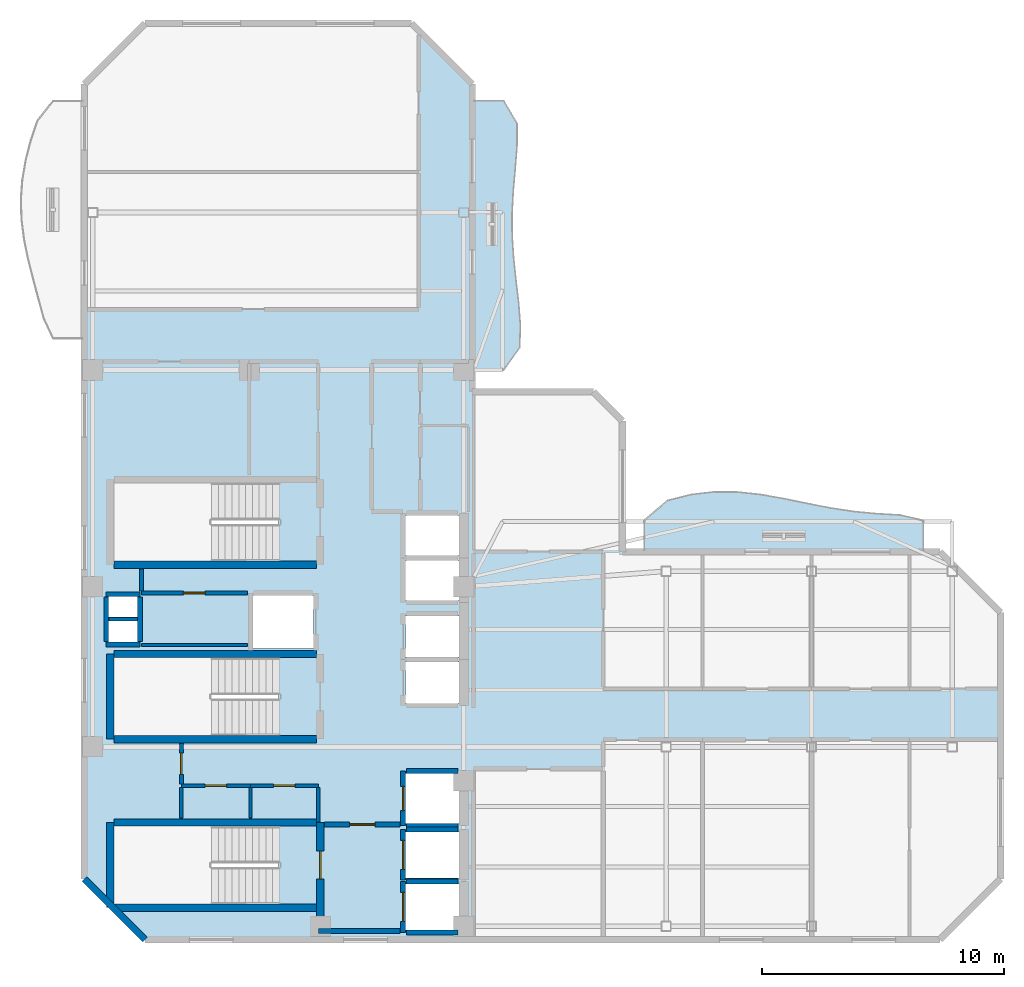
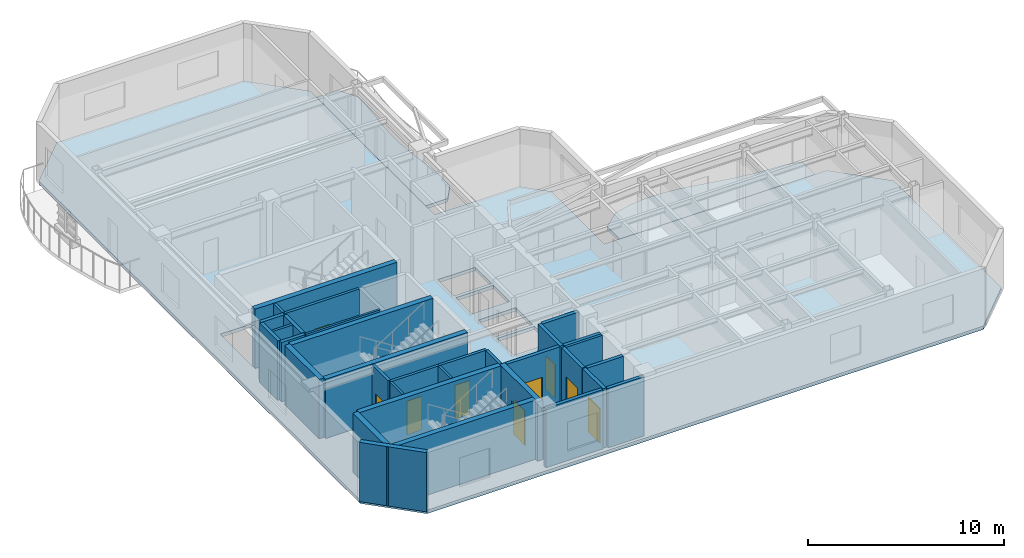
# One storey, part 2 of 8: 33 walls, 9 doors, 3 slabs, 9 openings.
"""IFC4 building model written with IfcOpenShell, lengths in metres."""

import ifcopenshell
import ifcopenshell.guid

model = None  # the IFC model being written
_history = None  # IfcOwnerHistory: only IFC2X3 demands one
_inside = {}  # id of a spatial element -> (the spatial element, [elements in it])
_under = {}  # id of a project, library or spatial element -> (it, [spatial elements below it])
_declared = {}  # id of a project -> (the project, [libraries it declares])
_typed = {}  # id of a type object -> (the type object, [elements of that type])
_made_of = {}  # id of a material, layer set ... -> (it, [elements and type objects made of it])


def new_model(schema):
    """Start an empty IFC model of exactly this schema.

    Asked for "IFC4X3", IfcOpenShell would pick the latest addendum, in which some entities
    have other attributes; the version numbers below select the first issue.
    IFC2X3 requires an IfcOwnerHistory on every rooted entity: one is made here for all.
    """
    global model, _history
    if schema == "IFC4X3":
        model = ifcopenshell.file(schema_version=(4, 3, 0, 0))
    else:
        model = ifcopenshell.file(schema=schema)
    _inside.clear()
    _under.clear()
    _declared.clear()
    _typed.clear()
    _made_of.clear()
    _history = None
    if model.schema == "IFC2X3":
        org = make("IfcOrganization", Name="unknown")
        user = make(
            "IfcPersonAndOrganization",
            ThePerson=make("IfcPerson", FamilyName="unknown"),
            TheOrganization=org,
        )
        app = make(
            "IfcApplication",
            ApplicationDeveloper=org,
            Version="unknown",
            ApplicationFullName="unknown",
            ApplicationIdentifier="unknown",
        )
        _history = make(
            "IfcOwnerHistory",
            OwningUser=user,
            OwningApplication=app,
            ChangeAction="ADDED",
            CreationDate=0,
        )
    return model


def make(cls, **values):
    """One entity of the class cls with the attributes given. An attribute that is None is left unset."""
    return model.create_entity(
        cls, **{name: value for name, value in values.items() if value is not None}
    )


def rooted(cls, **values):
    """An entity with a GlobalId (a new one), such as an element, a storey or a relation."""
    return make(cls, GlobalId=ifcopenshell.guid.new(), OwnerHistory=_history, **values)


def si_unit(unit_type, name, prefix=None):
    """IfcSIUnit, for example si_unit("LENGTHUNIT", "METRE", prefix="MILLI")."""
    return make("IfcSIUnit", UnitType=unit_type, Prefix=prefix, Name=name)


def assignment(units):
    """IfcUnitAssignment: the units of a project."""
    return None if units is None else make("IfcUnitAssignment", Units=units)


def point(xyz):
    """IfcCartesianPoint."""
    return None if xyz is None else make("IfcCartesianPoint", Coordinates=xyz)


def direction(xyz):
    """IfcDirection."""
    return None if xyz is None else make("IfcDirection", DirectionRatios=xyz)


def frame(location, z_axis=None, x_axis=None):
    """IfcAxis2Placement3D, a coordinate frame: its origin and axes. An axis left out is left unset."""
    return make(
        "IfcAxis2Placement3D",
        Location=point(location),
        Axis=direction(z_axis),
        RefDirection=direction(x_axis),
    )


def frame_2d(location, x_axis=None):
    """IfcAxis2Placement2D, a coordinate frame in the plane: its origin and x axis."""
    return make(
        "IfcAxis2Placement2D", Location=point(location), RefDirection=direction(x_axis)
    )


def origin():
    """The frame at (0, 0, 0) with its axes left unset."""
    return frame((0.0, 0.0, 0.0))


def place(relative_to, where):
    """IfcLocalPlacement: puts the frame where relative to a parent placement (None: the world)."""
    return make(
        "IfcLocalPlacement", PlacementRelTo=relative_to, RelativePlacement=where
    )


def context(
    kind, dimensions, precision=None, world=None, true_north=None, identifier=None
):
    """IfcGeometricRepresentationContext, for example the 3D "Model" context."""
    return make(
        "IfcGeometricRepresentationContext",
        ContextIdentifier=identifier,
        ContextType=kind,
        CoordinateSpaceDimension=dimensions,
        Precision=precision,
        WorldCoordinateSystem=world,
        TrueNorth=true_north,
    )


def subcontext(parent, identifier, kind, view, scale=None):
    """IfcGeometricRepresentationSubContext, for example "Body" below "Model"."""
    return make(
        "IfcGeometricRepresentationSubContext",
        ContextIdentifier=identifier,
        ContextType=kind,
        ParentContext=parent,
        TargetScale=scale,
        TargetView=view,
    )


def project(units=None, contexts=None):
    """IfcProject with its units and contexts."""
    return rooted(
        "IfcProject",
        Name="project",
        RepresentationContexts=contexts,
        UnitsInContext=assignment(units),
    )


def spatial(cls, under=None, at=None, **own):
    """A site, building, storey or space (cls), placed at a placement, below another one or the project."""
    s = rooted(cls, ObjectPlacement=at, **own)
    if under is not None:
        _under.setdefault(under.id(), (under, []))[1].append(s)
    return s


def polyline(points):
    """IfcPolyline through the points."""
    return make("IfcPolyline", Points=[point(p) for p in points])


def profile(cls, at=None, kind="AREA", **sizes):
    """A parametric profile (cls). Its sizes go by their IFC names, for example OverallWidth=200.0."""
    return make(cls, ProfileType=kind, Position=at, **sizes)


def rectangle(**sizes):
    """IfcRectangleProfileDef."""
    return profile("IfcRectangleProfileDef", **sizes)


def outline(outer, holes=None, kind="AREA"):
    """IfcArbitraryClosedProfileDef: a profile drawn as a closed curve; with holes, ...WithVoids."""
    if holes is None:
        return make("IfcArbitraryClosedProfileDef", ProfileType=kind, OuterCurve=outer)
    return make(
        "IfcArbitraryProfileDefWithVoids",
        ProfileType=kind,
        OuterCurve=outer,
        InnerCurves=holes,
    )


def extrude(swept, where, along, depth):
    """IfcExtrudedAreaSolid: the profile swept, set in the frame where, extruded along a direction by depth."""
    return make(
        "IfcExtrudedAreaSolid",
        SweptArea=swept,
        Position=where,
        ExtrudedDirection=direction(along),
        Depth=depth,
    )


def shape(context_of_items, identifier, shape_type, items):
    """IfcShapeRepresentation: the items that make up one representation, for example the "Body"."""
    return make(
        "IfcShapeRepresentation",
        ContextOfItems=context_of_items,
        RepresentationIdentifier=identifier,
        RepresentationType=shape_type,
        Items=items,
    )


def material(Name=None, Category=None):
    """IfcMaterial."""
    return make("IfcMaterial", Name=Name, Category=Category)


def layer(
    of_material, thickness, ventilated=None, Name=None, Category=None, Priority=None
):
    """IfcMaterialLayer: one layer of a wall or slab, of a material (None: an air gap)."""
    return make(
        "IfcMaterialLayer",
        Material=of_material,
        LayerThickness=thickness,
        IsVentilated=ventilated,
        Name=Name,
        Category=Category,
        Priority=Priority,
    )


def layer_set(layers, Name=None):
    """IfcMaterialLayerSet."""
    return make("IfcMaterialLayerSet", MaterialLayers=layers, LayerSetName=Name)


def made_of(thing, what):
    """Note that an element or type object is made of a material, layer set ...; save() writes the relation."""
    if what is not None:
        _made_of.setdefault(what.id(), (what, []))[1].append(thing)
    return thing


def type_object(cls, material=None, **own):
    """A type object (cls), such as IfcWallType, which elements share."""
    return made_of(rooted(cls, **own), material)


def element(
    cls,
    number,
    at=None,
    inside=None,
    cuts=None,
    type_object=None,
    material=None,
    context=None,
    identifier="Body",
    shape_type=None,
    held_by="IfcProductDefinitionShape",
    body=None,
    shapes=None,
    **own,
):
    """One element of the class cls, such as IfcWall. Its Tag is "e" and its number.

    at: its placement. inside: the storey or other place that contains it. cuts: it is an
    opening in that element (IfcRelVoidsElement). A single representation is given by context,
    identifier, shape_type and body (its items); several are given by shapes. held_by: the class
    of the entity that holds the representations. save() writes the other relations.
    """
    e = rooted(cls, Tag="e%d" % number, ObjectPlacement=at, **own)
    if body is not None:
        shapes = [shape(context, identifier, shape_type, body)]
    if shapes is not None:
        e.Representation = make(held_by, Representations=shapes)
    if inside is not None:
        _inside.setdefault(inside.id(), (inside, []))[1].append(e)
    if cuts is not None:
        rooted(
            "IfcRelVoidsElement", RelatingBuildingElement=cuts, RelatedOpeningElement=e
        )
    if type_object is not None:
        _typed.setdefault(type_object.id(), (type_object, []))[1].append(e)
    return made_of(e, material)


def fill(opening, filler):
    """IfcRelFillsElement: the door or window that sits in an opening."""
    return rooted(
        "IfcRelFillsElement",
        RelatingOpeningElement=opening,
        RelatedBuildingElement=filler,
    )


def aggregate(whole, parts):
    """IfcRelAggregates: a whole, such as a stair, and the parts it consists of."""
    return rooted("IfcRelAggregates", RelatingObject=whole, RelatedObjects=parts)


def save(model, path):
    """Write the relations noted so far, then the file.

    IfcRelAggregates (storeys below a building ...), IfcRelContainedInSpatialStructure (elements
    in a storey), IfcRelDefinesByType, IfcRelAssociatesMaterial and IfcRelDeclares: one each for
    every whole, place, type object, material and project.
    """
    for whole, parts in _under.values():
        aggregate(whole, parts)
    for where, things in _inside.values():
        rooted(
            "IfcRelContainedInSpatialStructure",
            RelatedElements=things,
            RelatingStructure=where,
        )
    for kind, things in _typed.values():
        rooted("IfcRelDefinesByType", RelatedObjects=things, RelatingType=kind)
    for what, things in _made_of.values():
        rooted("IfcRelAssociatesMaterial", RelatedObjects=things, RelatingMaterial=what)
    for by, libraries in _declared.values():
        rooted("IfcRelDeclares", RelatingContext=by, RelatedDefinitions=libraries)
    model.write(path)


model = new_model("IFC4")

# Units and contexts
model_context = context("Model", 3, precision=1e-05, world=origin(), true_north=direction((0.0, 1.0)))
body_context = subcontext(model_context, "Body", "Model", "MODEL_VIEW")
ifc_project = project(units=[si_unit("LENGTHUNIT", "METRE"), si_unit("AREAUNIT", "SQUARE_METRE"), si_unit("VOLUMEUNIT", "CUBIC_METRE"), si_unit("PLANEANGLEUNIT", "RADIAN"), si_unit("MASSUNIT", "GRAM", prefix="KILO")], contexts=[model_context])

# Site, building, storey
site_placement = place(None, origin())
site = spatial("IfcSite", under=ifc_project, at=site_placement, CompositionType="ELEMENT")
building_placement = place(site_placement, origin())
building = spatial("IfcBuilding", under=site, at=building_placement, Name="Mawjaban Terraces University", CompositionType="ELEMENT")
storey_placement = place(building_placement, frame((0.0, 0.0, 271.60009765625)))
storey = spatial("IfcBuildingStorey", under=building, at=storey_placement, Name="L66", CompositionType="ELEMENT", Elevation=271.60009765625)

# Slabs
ifc_material_1 = material(Name="Concrete C40/50", Category="concrete")
ifc_layer_1 = layer(ifc_material_1, 0.2099609375)
ifc_layer_set_1 = layer_set([ifc_layer_1], Name="Concrete C40/50")
slab_type_1 = type_object("IfcSlabType", Name="BalconySlab_210_Ext", PredefinedType="FLOOR", material=ifc_layer_set_1)
slab_1_placement = place(storey_placement, frame((0.0, 0.0, -0.210205078125)))
element("IfcSlab", 1, at=slab_1_placement, inside=storey, type_object=slab_type_1, Name="L66 Planted Balcony Slab inner_north", PredefinedType="FLOOR", context=body_context, shape_type="SweptSolid", body=[
    extrude(outline(polyline([(45.10009765625, 15.989990234375), (56.60009765625, 15.989990234375), (56.60009765625, 17.300048828125), (55.64208984375, 17.51708984375), (54.68310546875, 17.570068359375), (53.72509765625, 17.6630859375), (52.76708984375, 17.80908203125), (51.80810546875, 17.99609375), (50.85009765625, 18.193115234375), (49.89208984375, 18.362060546875), (48.93310546875, 18.464111328125), (47.97509765625, 18.469970703125), (47.01708984375, 18.35888671875), (46.05810546875, 18.114990234375), (45.10009765625, 17.300048828125), (45.10009765625, 15.989990234375)])), origin(), (0.0, 0.0, 1.0), 0.210205078125),
])
slab_2_placement = place(storey_placement, frame((0.0, 0.0, -0.210205078125)))
element("IfcSlab", 2, at=slab_2_placement, inside=storey, type_object=slab_type_1, Name="L66 Planted Balcony Slab inner_east", PredefinedType="FLOOR", context=body_context, shape_type="SweptSolid", body=[
    extrude(outline(polyline([(39.300048828125, 23.5), (39.955078125, 24.425048828125), (39.985107421875, 25.35009765625), (39.9130859375, 26.27490234375), (39.803955078125, 27.199951171875), (39.705078125, 28.125), (39.64501953125, 29.050048828125), (39.64208984375, 29.97509765625), (39.69189453125, 30.89990234375), (39.77294921875, 31.824951171875), (39.846923828125, 32.75), (39.846923828125, 33.675048828125), (39.300048828125, 34.60009765625), (37.989990234375, 34.60009765625), (37.989990234375, 23.5), (39.300048828125, 23.5)])), origin(), (0.0, 0.0, 1.0), 0.210205078125),
])
ifc_layer_2 = layer(ifc_material_1, 0.2099609375)
ifc_layer_set_2 = layer_set([ifc_layer_2], Name="Concrete C40/50")
slab_type_2 = type_object("IfcSlabType", Name="CompositeSlab_210", PredefinedType="FLOOR", material=ifc_layer_set_2)
slab_3_placement = place(storey_placement, frame((0.0, 0.0, -0.210205078125)))
element("IfcSlab", 3, at=slab_3_placement, inside=storey, type_object=slab_type_2, Name="L66 Primary Structural Slab", PredefinedType="FLOOR", context=body_context, shape_type="SweptSolid", body=[
    extrude(outline(polyline([(24.5, 0.0), (57.300048828125, 0.0), (59.800048828125, 2.5), (59.800048828125, 13.5), (57.300048828125, 16.0), (44.199951171875, 16.0), (44.199951171875, 21.39990234375), (43.0, 22.60009765625), (38.0, 22.60009765625), (38.0, 35.300048828125), (35.5, 37.800048828125), (24.5, 37.800048828125), (22.0, 35.300048828125), (22.0, 2.5), (24.5, 0.0)]), holes=[polyline([(30.014892578125, 4.699951171875), (23.199951171875, 4.699951171875), (23.199951171875, 1.449951171875), (30.014892578125, 1.449951171875), (30.014892578125, 4.699951171875)]), polyline([(30.014892578125, 18.85009765625), (23.199951171875, 18.85009765625), (23.199951171875, 15.60009765625), (30.014892578125, 15.60009765625), (30.014892578125, 18.85009765625)]), polyline([(30.014892578125, 11.64990234375), (23.199951171875, 11.64990234375), (23.199951171875, 8.39990234375), (30.014892578125, 8.39990234375), (30.014892578125, 11.64990234375)]), polyline([(35.25, 0.39990234375), (37.449951171875, 0.39990234375), (37.449951171875, 2.300048828125), (35.25, 2.300048828125), (35.25, 0.39990234375)]), polyline([(35.25, 2.550048828125), (37.449951171875, 2.550048828125), (37.449951171875, 4.449951171875), (35.25, 4.449951171875), (35.25, 2.550048828125)]), polyline([(35.25, 4.800048828125), (37.449951171875, 4.800048828125), (37.449951171875, 6.85009765625), (35.25, 6.85009765625), (35.25, 4.800048828125)]), polyline([(35.25, 9.75), (37.449951171875, 9.75), (37.449951171875, 11.449951171875), (35.25, 11.449951171875), (35.25, 9.75)]), polyline([(35.25, 11.64990234375), (37.449951171875, 11.64990234375), (37.449951171875, 13.35009765625), (35.25, 13.35009765625), (35.25, 11.64990234375)]), polyline([(28.949951171875, 12.0), (31.449951171875, 12.0), (31.449951171875, 14.199951171875), (28.949951171875, 14.199951171875), (28.949951171875, 12.0)]), polyline([(35.25, 14.0), (37.449951171875, 14.0), (37.449951171875, 15.64990234375), (35.25, 15.64990234375), (35.25, 14.0)]), polyline([(35.25, 15.85009765625), (37.449951171875, 15.85009765625), (37.449951171875, 17.5), (35.25, 17.5), (35.25, 15.85009765625)]), polyline([(23.0, 12.25), (24.199951171875, 12.25), (24.199951171875, 13.14990234375), (23.0, 13.14990234375), (23.0, 12.25)]), polyline([(23.0, 13.300048828125), (24.199951171875, 13.300048828125), (24.199951171875, 14.179931640625), (23.0, 14.179931640625), (23.0, 13.300048828125)])]), origin(), (0.0, 0.0, 1.0), 0.210205078125),
])

# Wall, opening, door
ifc_material_2 = material(Name="Fire-rated gypsum board on steel stud", Category="steel")
ifc_layer_3 = layer(ifc_material_2, 0.159912109375)
ifc_layer_set_3 = layer_set([ifc_layer_3], Name="Fire-rated gypsum board on steel stud")
wall_type_1 = type_object("IfcWallType", Name="CorridorPartition_160", PredefinedType="PARTITIONING", material=ifc_layer_set_3)
wall_1_placement = place(storey_placement, frame((24.35009765625, 14.300048828125, 0.0), z_axis=(0.0, 0.0, 1.0), x_axis=(1.0, 0.0, 0.0)))
wall_1 = element("IfcWall", 4, at=wall_1_placement, inside=storey, type_object=wall_type_1, Name="L66 Core Riser Access Passage Partition 2", PredefinedType="PARTITIONING", context=body_context, shape_type="SweptSolid", body=[
    extrude(rectangle(XDim=4.369873046875, YDim=0.159912109375, at=frame_2d((2.18505859375, 0.0))), origin(), (0.0, 0.0, 1.0), 3.68994140625),
])
opening_1_placement = place(wall_1_placement, frame((1.735107421875, 0.0, 0.0)))
opening_1 = element("IfcOpeningElement", 5, at=opening_1_placement, cuts=wall_1, Name="Opening ID-090", PredefinedType="OPENING", context=body_context, shape_type="SweptSolid", body=[
    extrude(rectangle(XDim=0.89990234375, YDim=2.10009765625, at=frame_2d((0.449951171875, 1.050048828125))), frame((0.0, 0.08984375, 0.0), z_axis=(0.0, -1.0, 0.0), x_axis=(1.0, 0.0, 0.0)), (0.0, 0.0, 1.0), 0.179931640625),
])
ifc_material_3 = material(Name="Powder-coated steel frame and solid acoustic timber leaf", Category="steel")
door_type_1 = type_object("IfcDoorType", Name="OfficeDoor_900x2100", OperationType="NOTDEFINED", PredefinedType="DOOR", material=ifc_material_3)
door_1_placement = place(opening_1_placement, origin())
door_1 = element("IfcDoor", 6, at=door_1_placement, inside=storey, type_object=door_type_1, Name="L66 Cleaner Store Door", OperationType="SINGLE_SWING_LEFT", OverallHeight=2.10009765625, OverallWidth=0.89990234375, PredefinedType="DOOR", context=body_context, shape_type="SweptSolid", body=[
    extrude(rectangle(XDim=0.89990234375, YDim=2.10009765625, at=frame_2d((0.449951171875, 1.050048828125))), frame((0.0, 0.02490234375, 0.0), z_axis=(0.0, -1.0, 0.0), x_axis=(1.0, 0.0, 0.0)), (0.0, 0.0, 1.0), 0.050048828125),
])
fill(opening_1, door_1)

wall_2_placement = place(storey_placement, frame((26.0, 6.35009765625, 0.0), z_axis=(0.0, 0.0, 1.0), x_axis=(1.0, 0.0, 0.0)))
wall_2 = element("IfcWall", 7, at=wall_2_placement, inside=storey, type_object=wall_type_1, Name="L66 Core Washroom Lobby Partition 3", PredefinedType="PARTITIONING", context=body_context, shape_type="SweptSolid", body=[
    extrude(rectangle(XDim=2.85009765625, YDim=0.159912109375, at=frame_2d((1.425048828125, 0.0))), origin(), (0.0, 0.0, 1.0), 3.68994140625),
])
opening_2_placement = place(wall_2_placement, frame((0.985107421875, 0.0, 0.0)))
opening_2 = element("IfcOpeningElement", 8, at=opening_2_placement, cuts=wall_2, Name="Opening ID-088", PredefinedType="OPENING", context=body_context, shape_type="SweptSolid", body=[
    extrude(rectangle(XDim=0.8798828125, YDim=2.10009765625, at=frame_2d((0.43994140625, 1.050048828125))), frame((0.0, 0.08984375, 0.0), z_axis=(0.0, -1.0, 0.0), x_axis=(1.0, 0.0, 0.0)), (0.0, 0.0, 1.0), 0.179931640625),
])
door_type_2 = type_object("IfcDoorType", Name="ToiletDoor_880x2100", OperationType="NOTDEFINED", PredefinedType="DOOR", material=ifc_material_3)
door_2_placement = place(opening_2_placement, origin())
door_2 = element("IfcDoor", 9, at=door_2_placement, inside=storey, type_object=door_type_2, Name="L66 Male Toilet Door", OperationType="SINGLE_SWING_LEFT", OverallHeight=2.10009765625, OverallWidth=0.8798828125, PredefinedType="DOOR", context=body_context, shape_type="SweptSolid", body=[
    extrude(rectangle(XDim=0.8798828125, YDim=2.10009765625, at=frame_2d((0.43994140625, 1.050048828125))), frame((0.0, 0.02490234375, 0.0), z_axis=(0.0, -1.0, 0.0), x_axis=(1.0, 0.0, 0.0)), (0.0, 0.0, 1.0), 0.050048828125),
])
fill(opening_2, door_2)

wall_3_placement = place(storey_placement, frame((28.85009765625, 6.35009765625, 0.0), z_axis=(0.0, 0.0, 1.0), x_axis=(1.0, 0.0, 0.0)))
wall_3 = element("IfcWall", 10, at=wall_3_placement, inside=storey, type_object=wall_type_1, Name="L66 Core Washroom Lobby Partition 5", PredefinedType="PARTITIONING", context=body_context, shape_type="SweptSolid", body=[
    extrude(rectangle(XDim=2.7998046875, YDim=0.159912109375, at=frame_2d((1.39990234375, 0.0))), origin(), (0.0, 0.0, 1.0), 3.68994140625),
])
opening_3_placement = place(wall_3_placement, frame((0.9599609375, 0.0, 0.0)))
opening_3 = element("IfcOpeningElement", 11, at=opening_3_placement, cuts=wall_3, Name="Opening ID-088", PredefinedType="OPENING", context=body_context, shape_type="SweptSolid", body=[
    extrude(rectangle(XDim=0.8798828125, YDim=2.10009765625, at=frame_2d((0.43994140625, 1.050048828125))), frame((0.0, 0.08984375, 0.0), z_axis=(0.0, -1.0, 0.0), x_axis=(1.0, 0.0, 0.0)), (0.0, 0.0, 1.0), 0.179931640625),
])
door_3_placement = place(opening_3_placement, origin())
door_3 = element("IfcDoor", 12, at=door_3_placement, inside=storey, type_object=door_type_2, Name="L66 Accessible Toilet Door", OperationType="SINGLE_SWING_RIGHT", OverallHeight=2.10009765625, OverallWidth=0.8798828125, PredefinedType="DOOR", context=body_context, shape_type="SweptSolid", body=[
    extrude(rectangle(XDim=0.8798828125, YDim=2.10009765625, at=frame_2d((0.43994140625, 1.050048828125))), frame((0.0, 0.02490234375, 0.0), z_axis=(0.0, -1.0, 0.0), x_axis=(1.0, 0.0, 0.0)), (0.0, 0.0, 1.0), 0.050048828125),
])
fill(opening_3, door_3)

# Wall
wall_4_placement = place(storey_placement, frame((24.35009765625, 15.2900390625, 0.0), z_axis=(0.0, 0.0, 1.0), x_axis=(0.0, -1.0, 0.0)))
element("IfcWall", 13, at=wall_4_placement, inside=storey, type_object=wall_type_1, Name="L66 Core Riser Access Passage Partition 25", PredefinedType="PARTITIONING", context=body_context, shape_type="SweptSolid", body=[
    extrude(rectangle(XDim=0.9150390625, YDim=0.159912109375, at=frame_2d((0.45751953125, 0.0))), origin(), (0.0, 0.0, 1.0), 3.68994140625),
])

# Wall, opening, door
wall_5_placement = place(storey_placement, frame((26.0, 8.090087890625, 0.0), z_axis=(0.0, 0.0, 1.0), x_axis=(0.0, -1.0, 0.0)))
wall_5 = element("IfcWall", 14, at=wall_5_placement, inside=storey, type_object=wall_type_1, Name="L66 Core Washroom Lobby Partition 27", PredefinedType="PARTITIONING", context=body_context, shape_type="SweptSolid", body=[
    extrude(rectangle(XDim=1.6650390625, YDim=0.159912109375, at=frame_2d((0.83251953125, 0.0))), origin(), (0.0, 0.0, 1.0), 3.68994140625),
])
opening_4_placement = place(wall_5_placement, frame((0.39306640625, 0.0, 0.0)))
opening_4 = element("IfcOpeningElement", 15, at=opening_4_placement, cuts=wall_5, Name="Opening ID-088", PredefinedType="OPENING", context=body_context, shape_type="SweptSolid", body=[
    extrude(rectangle(XDim=0.8798828125, YDim=2.10009765625, at=frame_2d((0.43994140625, 1.050048828125))), frame((0.0, 0.08984375, 0.0), z_axis=(0.0, -1.0, 0.0), x_axis=(1.0, 0.0, 0.0)), (0.0, 0.0, 1.0), 0.179931640625),
])
door_4_placement = place(opening_4_placement, origin())
door_4 = element("IfcDoor", 16, at=door_4_placement, inside=storey, type_object=door_type_2, Name="L66 Ablution Room Door", OperationType="SINGLE_SWING_RIGHT", OverallHeight=2.10009765625, OverallWidth=0.8798828125, PredefinedType="DOOR", context=body_context, shape_type="SweptSolid", body=[
    extrude(rectangle(XDim=0.8798828125, YDim=2.10009765625, at=frame_2d((0.43994140625, 1.050048828125))), frame((0.0, 0.02490234375, 0.0), z_axis=(0.0, -1.0, 0.0), x_axis=(1.0, 0.0, 0.0)), (0.0, 0.0, 1.0), 0.050048828125),
])
fill(opening_4, door_4)

# Walls
wall_6_placement = place(storey_placement, frame((31.64990234375, 4.860107421875, 0.0), z_axis=(0.0, 0.0, 1.0), x_axis=(0.0, 1.0, 0.0)))
element("IfcWall", 17, at=wall_6_placement, inside=storey, type_object=wall_type_1, Name="L66 Accessible Toilet Partition 30", PredefinedType="PARTITIONING", context=body_context, shape_type="SweptSolid", body=[
    extrude(rectangle(XDim=1.414794921875, YDim=0.159912109375, at=frame_2d((0.70751953125, 0.0))), origin(), (0.0, 0.0, 1.0), 3.68994140625),
])
ifc_material_4 = material(Name="Insulated terracotta rainscreen on concrete backup C40/50", Category="masonry")
ifc_layer_4 = layer(ifc_material_4, 0.27490234375)
ifc_layer_set_4 = layer_set([ifc_layer_4], Name="Insulated terracotta rainscreen on concrete backup C40/50")
wall_type_2 = type_object("IfcWallType", Name="ExtTerracottaWall_275", PredefinedType="SOLIDWALL", material=ifc_layer_set_4)
wall_7_placement = place(storey_placement, frame((22.0, 2.5, 0.0), z_axis=(0.0, 0.0, 1.0), x_axis=(0.707106781187, -0.707106781187, 0.0)))
element("IfcWall", 18, at=wall_7_placement, inside=storey, type_object=wall_type_2, Name="L66 Exterior Terracotta Wall 14", PredefinedType="SOLIDWALL", context=body_context, shape_type="SweptSolid", body=[
    extrude(rectangle(XDim=3.53564453125, YDim=0.27490234375, at=frame_2d((1.767822265625, 0.0))), origin(), (0.0, 0.0, 1.0), 3.68994140625),
])

# Wall, opening, door
ifc_layer_5 = layer(ifc_material_1, 0.199951171875)
ifc_layer_set_5 = layer_set([ifc_layer_5], Name="Concrete C40/50")
wall_type_3 = type_object("IfcWallType", Name="FireLobbyWall_200", PredefinedType="SOLIDWALL", material=ifc_layer_set_5)
wall_8_placement = place(storey_placement, frame((35.14990234375, 2.39990234375, 0.0), z_axis=(0.0, 0.0, 1.0), x_axis=(0.0, -1.0, 0.0)))
wall_8 = element("IfcWall", 19, at=wall_8_placement, inside=storey, type_object=wall_type_3, Name="L66 Lift FL-1 Hoistway Wall West", PredefinedType="SOLIDWALL", context=body_context, shape_type="SweptSolid", body=[
    extrude(rectangle(XDim=2.099853515625, YDim=0.199951171875, at=frame_2d((1.0498046875, 0.0))), origin(), (0.0, 0.0, 1.0), 3.68994140625),
])
opening_5_placement = place(wall_8_placement, frame((0.449951171875, 0.0, 0.0)))
opening_5 = element("IfcOpeningElement", 20, at=opening_5_placement, cuts=wall_8, Name="Opening LD-FL-1", PredefinedType="OPENING", context=body_context, shape_type="SweptSolid", body=[
    extrude(rectangle(XDim=1.199951171875, YDim=2.14990234375, at=frame_2d((0.60009765625, 1.074951171875))), frame((0.0, 0.10986328125, 0.0), z_axis=(0.0, -1.0, 0.0), x_axis=(1.0, 0.0, 0.0)), (0.0, 0.0, 1.0), 0.219970703125),
])
ifc_material_5 = material(Name="Powder-coated steel frame and fire-rated steel-faced leaf", Category="steel")
door_type_3 = type_object("IfcDoorType", Name="LiftLandingFSAE_1200x2150", OperationType="NOTDEFINED", PredefinedType="DOOR", material=ifc_material_5)
door_5_placement = place(opening_5_placement, origin())
door_5 = element("IfcDoor", 21, at=door_5_placement, inside=storey, type_object=door_type_3, Name="L66 Lift FL-1 Sliding Landing Door", OperationType="DOUBLE_DOOR_SLIDING", OverallHeight=2.14990234375, OverallWidth=1.199951171875, PredefinedType="DOOR", context=body_context, shape_type="SweptSolid", body=[
    extrude(rectangle(XDim=1.199951171875, YDim=2.14990234375, at=frame_2d((0.60009765625, 1.074951171875))), frame((0.0, 0.02490234375, 0.0), z_axis=(0.0, -1.0, 0.0), x_axis=(1.0, 0.0, 0.0)), (0.0, 0.0, 1.0), 0.050048828125),
])
fill(opening_5, door_5)

# Walls
for number, where, z_axis, x_axis, name in (
    (22, (35.280029296875, 0.300048828125, 0.0), (0.0, 0.0, 1.0), (1.0, 0.0, 0.0), "L66 Lift FL-1 Hoistway Wall South"),
    (23, (37.419921875, 2.39990234375, 0.0), (0.0, 0.0, 1.0), (-1.0, 0.0, 0.0), "L66 Lift FL-1 Hoistway Wall North"),
):
    element("IfcWall", number, at=place(storey_placement, frame(where, z_axis=z_axis, x_axis=x_axis)), inside=storey, type_object=wall_type_3, Name=name, PredefinedType="SOLIDWALL", context=body_context, shape_type="SweptSolid", body=[
        extrude(rectangle(XDim=2.139892578125, YDim=0.199951171875, at=frame_2d((1.06982421875, 0.0))), origin(), (0.0, 0.0, 1.0), 3.68994140625),
    ])

# Wall, opening, door
wall_9_placement = place(storey_placement, frame((35.14990234375, 4.550048828125, 0.0), z_axis=(0.0, 0.0, 1.0), x_axis=(0.0, -1.0, 0.0)))
wall_9 = element("IfcWall", 24, at=wall_9_placement, inside=storey, type_object=wall_type_3, Name="L66 Lift FL-2 Hoistway Wall West", PredefinedType="SOLIDWALL", context=body_context, shape_type="SweptSolid", body=[
    extrude(rectangle(XDim=2.10009765625, YDim=0.199951171875, at=frame_2d((1.050048828125, 0.0))), origin(), (0.0, 0.0, 1.0), 3.68994140625),
])
opening_6_placement = place(wall_9_placement, frame((0.449951171875, 0.0, 0.0)))
opening_6 = element("IfcOpeningElement", 25, at=opening_6_placement, cuts=wall_9, Name="Opening LD-FL-2", PredefinedType="OPENING", context=body_context, shape_type="SweptSolid", body=[
    extrude(rectangle(XDim=1.199951171875, YDim=2.14990234375, at=frame_2d((0.60009765625, 1.074951171875))), frame((0.0, 0.10986328125, 0.0), z_axis=(0.0, -1.0, 0.0), x_axis=(1.0, 0.0, 0.0)), (0.0, 0.0, 1.0), 0.219970703125),
])
door_6_placement = place(opening_6_placement, origin())
door_6 = element("IfcDoor", 26, at=door_6_placement, inside=storey, type_object=door_type_3, Name="L66 Lift FL-2 Sliding Landing Door", OperationType="DOUBLE_DOOR_SLIDING", OverallHeight=2.14990234375, OverallWidth=1.199951171875, PredefinedType="DOOR", context=body_context, shape_type="SweptSolid", body=[
    extrude(rectangle(XDim=1.199951171875, YDim=2.14990234375, at=frame_2d((0.60009765625, 1.074951171875))), frame((0.0, 0.02490234375, 0.0), z_axis=(0.0, -1.0, 0.0), x_axis=(1.0, 0.0, 0.0)), (0.0, 0.0, 1.0), 0.050048828125),
])
fill(opening_6, door_6)

# Wall
wall_10_placement = place(storey_placement, frame((37.419921875, 4.550048828125, 0.0), z_axis=(0.0, 0.0, 1.0), x_axis=(-1.0, 0.0, 0.0)))
element("IfcWall", 27, at=wall_10_placement, inside=storey, type_object=wall_type_3, Name="L66 Lift FL-2 Hoistway Wall North", PredefinedType="SOLIDWALL", context=body_context, shape_type="SweptSolid", body=[
    extrude(rectangle(XDim=2.139892578125, YDim=0.199951171875, at=frame_2d((1.06982421875, 0.0))), origin(), (0.0, 0.0, 1.0), 3.68994140625),
])

# Wall, opening, door
wall_11_placement = place(storey_placement, frame((35.14990234375, 6.949951171875, 0.0), z_axis=(0.0, 0.0, 1.0), x_axis=(0.0, -1.0, 0.0)))
wall_11 = element("IfcWall", 28, at=wall_11_placement, inside=storey, type_object=wall_type_3, Name="L66 Lift SL-1 Hoistway Wall West", PredefinedType="SOLIDWALL", context=body_context, shape_type="SweptSolid", body=[
    extrude(rectangle(XDim=2.25, YDim=0.199951171875, at=frame_2d((1.125, 0.0))), origin(), (0.0, 0.0, 1.0), 3.68994140625),
])
opening_7_placement = place(wall_11_placement, frame((0.625, 0.0, 0.0)))
opening_7 = element("IfcOpeningElement", 29, at=opening_7_placement, cuts=wall_11, Name="Opening LD-SL-1", PredefinedType="OPENING", context=body_context, shape_type="SweptSolid", body=[
    extrude(rectangle(XDim=1.0, YDim=2.10009765625, at=frame_2d((0.5, 1.050048828125))), frame((0.0, 0.10986328125, 0.0), z_axis=(0.0, -1.0, 0.0), x_axis=(1.0, 0.0, 0.0)), (0.0, 0.0, 1.0), 0.219970703125),
])
door_type_4 = type_object("IfcDoorType", Name="LiftLandingSliding_1000x2100", OperationType="NOTDEFINED", PredefinedType="DOOR", material=ifc_material_5)
door_7_placement = place(opening_7_placement, origin())
door_7 = element("IfcDoor", 30, at=door_7_placement, inside=storey, type_object=door_type_4, Name="L66 Lift SL-1 Sliding Landing Door", OperationType="DOUBLE_DOOR_SLIDING", OverallHeight=2.10009765625, OverallWidth=1.0, PredefinedType="DOOR", context=body_context, shape_type="SweptSolid", body=[
    extrude(rectangle(XDim=1.0, YDim=2.10009765625, at=frame_2d((0.5, 1.050048828125))), frame((0.0, 0.02490234375, 0.0), z_axis=(0.0, -1.0, 0.0), x_axis=(1.0, 0.0, 0.0)), (0.0, 0.0, 1.0), 0.050048828125),
])
fill(opening_7, door_7)

# Walls
for number, where, z_axis, x_axis, name in (
    (31, (35.280029296875, 4.699951171875, 0.0), (0.0, 0.0, 1.0), (1.0, 0.0, 0.0), "L66 Lift SL-1 Hoistway Wall South"),
    (32, (37.419921875, 6.949951171875, 0.0), (0.0, 0.0, 1.0), (-1.0, 0.0, 0.0), "L66 Lift SL-1 Hoistway Wall North"),
):
    element("IfcWall", number, at=place(storey_placement, frame(where, z_axis=z_axis, x_axis=x_axis)), inside=storey, type_object=wall_type_3, Name=name, PredefinedType="SOLIDWALL", context=body_context, shape_type="SweptSolid", body=[
        extrude(rectangle(XDim=2.139892578125, YDim=0.199951171875, at=frame_2d((1.06982421875, 0.0))), origin(), (0.0, 0.0, 1.0), 3.68994140625),
    ])
for number, where, z_axis, x_axis, name in (
    (33, (22.89990234375, 14.25, 0.0), (0.0, 0.0, 1.0), (1.0, 0.0, 0.0), "L66 MEP Riser Shaft Wall N"),
    (34, (22.89990234375, 12.179931640625, 0.0), (0.0, 0.0, 1.0), (1.0, 0.0, 0.0), "L66 MEP Riser Shaft Wall S"),
):
    element("IfcWall", number, at=place(storey_placement, frame(where, z_axis=z_axis, x_axis=x_axis)), inside=storey, type_object=wall_type_3, Name=name, PredefinedType="SOLIDWALL", context=body_context, shape_type="SweptSolid", body=[
        extrude(rectangle(XDim=1.400146484375, YDim=0.199951171875, at=frame_2d((0.7001953125, 0.0))), origin(), (0.0, 0.0, 1.0), 3.68994140625),
    ])
for number, where, z_axis, x_axis, name in (
    (35, (24.300048828125, 12.300048828125, 0.0), (0.0, 0.0, 1.0), (0.0, 1.0, 0.0), "L66 MEP Riser Shaft Wall E"),
    (36, (22.89990234375, 12.300048828125, 0.0), (0.0, 0.0, 1.0), (0.0, 1.0, 0.0), "L66 MEP Riser Shaft Wall W"),
):
    element("IfcWall", number, at=place(storey_placement, frame(where, z_axis=z_axis, x_axis=x_axis)), inside=storey, type_object=wall_type_3, Name=name, PredefinedType="SOLIDWALL", context=body_context, shape_type="SweptSolid", body=[
        extrude(rectangle(XDim=1.829833984375, YDim=0.199951171875, at=frame_2d((0.9150390625, 0.0))), origin(), (0.0, 0.0, 1.0), 3.68994140625),
    ])
wall_12_placement = place(storey_placement, frame((31.64990234375, 0.35009765625, 0.0), z_axis=(0.0, 0.0, 1.0), x_axis=(1.0, 0.0, 0.0)))
element("IfcWall", 37, at=wall_12_placement, inside=storey, type_object=wall_type_3, Name="L66 Firefighting Lift Lobby Partition 6", PredefinedType="SOLIDWALL", context=body_context, shape_type="SweptSolid", body=[
    extrude(rectangle(XDim=3.3701171875, YDim=0.199951171875, at=frame_2d((1.68505859375, 0.0))), origin(), (0.0, 0.0, 1.0), 3.68994140625),
])

# Wall, opening, door
wall_13_placement = place(storey_placement, frame((35.02001953125, 4.75, 0.0), z_axis=(0.0, 0.0, 1.0), x_axis=(-1.0, 0.0, 0.0)))
wall_13 = element("IfcWall", 38, at=wall_13_placement, inside=storey, type_object=wall_type_3, Name="L66 Firefighting Lift Lobby Partition 9", PredefinedType="SOLIDWALL", context=body_context, shape_type="SweptSolid", body=[
    extrude(rectangle(XDim=3.110107421875, YDim=0.199951171875, at=frame_2d((1.55517578125, 0.0))), origin(), (0.0, 0.0, 1.0), 3.68994140625),
])
opening_8_placement = place(wall_13_placement, frame((1.030029296875, 0.0, 0.0)))
opening_8 = element("IfcOpeningElement", 39, at=opening_8_placement, cuts=wall_13, Name="Opening FD-105", PredefinedType="OPENING", context=body_context, shape_type="SweptSolid", body=[
    extrude(rectangle(XDim=1.050048828125, YDim=2.14990234375, at=frame_2d((0.52490234375, 1.074951171875))), frame((0.0, 0.10986328125, 0.0), z_axis=(0.0, -1.0, 0.0), x_axis=(1.0, 0.0, 0.0)), (0.0, 0.0, 1.0), 0.219970703125),
])
door_type_5 = type_object("IfcDoorType", Name="FireLobbyDoor_1050x2150", OperationType="NOTDEFINED", PredefinedType="DOOR", material=ifc_material_5)
door_8_placement = place(opening_8_placement, origin())
door_8 = element("IfcDoor", 40, at=door_8_placement, inside=storey, type_object=door_type_5, Name="L66 Firefighting Lift Lobby Door", OperationType="SINGLE_SWING_LEFT", OverallHeight=2.14990234375, OverallWidth=1.050048828125, PredefinedType="DOOR", context=body_context, shape_type="SweptSolid", body=[
    extrude(rectangle(XDim=1.050048828125, YDim=2.14990234375, at=frame_2d((0.52490234375, 1.074951171875))), frame((0.0, 0.02490234375, 0.0), z_axis=(0.0, -1.0, 0.0), x_axis=(1.0, 0.0, 0.0)), (0.0, 0.0, 1.0), 0.050048828125),
])
fill(opening_8, door_8)

# Walls
ifc_material_6 = material(Name="Moisture-resistant gypsum board on steel stud", Category="steel")
ifc_layer_6 = layer(ifc_material_6, 0.14501953125)
ifc_layer_set_6 = layer_set([ifc_layer_6], Name="Moisture-resistant gypsum board on steel stud")
wall_type_4 = type_object("IfcWallType", Name="LabPartition_145", PredefinedType="PARTITIONING", material=ifc_layer_set_6)
wall_14_placement = place(storey_placement, frame((23.010009765625, 13.22509765625, 0.0), z_axis=(0.0, 0.0, 1.0), x_axis=(1.0, 0.0, 0.0)))
element("IfcWall", 41, at=wall_14_placement, inside=storey, type_object=wall_type_4, Name="L66 MEP Riser Shaft Wall M", PredefinedType="PARTITIONING", context=body_context, shape_type="SweptSolid", body=[
    extrude(rectangle(XDim=1.179931640625, YDim=0.14501953125, at=frame_2d((0.58984375, 0.0))), origin(), (0.0, 0.0, 1.0), 3.68994140625),
])
ifc_material_7 = material(Name="Gypsum plasterboard on steel stud", Category="steel")
ifc_layer_7 = layer(ifc_material_7, 0.125)
ifc_layer_set_7 = layer_set([ifc_layer_7], Name="Gypsum plasterboard on steel stud")
wall_type_5 = type_object("IfcWallType", Name="OfficePartition_125", PredefinedType="PARTITIONING", material=ifc_layer_set_7)
wall_15_placement = place(storey_placement, frame((24.35009765625, 12.14990234375, 0.0), z_axis=(0.0, 0.0, 1.0), x_axis=(1.0, 0.0, 0.0)))
element("IfcWall", 42, at=wall_15_placement, inside=storey, type_object=wall_type_5, Name="L66 Cleaner Store Partition 1", PredefinedType="PARTITIONING", context=body_context, shape_type="SweptSolid", body=[
    extrude(rectangle(XDim=4.369873046875, YDim=0.125, at=frame_2d((2.18505859375, 0.0))), origin(), (0.0, 0.0, 1.0), 3.68994140625),
])
ifc_material_8 = material(Name="Concrete C60/75", Category="concrete")
ifc_layer_8 = layer(ifc_material_8, 0.300048828125)
ifc_layer_set_8 = layer_set([ifc_layer_8], Name="Concrete C60/75")
wall_type_6 = type_object("IfcWallType", Name="StairShaftWall_300", PredefinedType="SHEAR", material=ifc_layer_set_8)
wall_16_placement = place(storey_placement, frame((31.580078125, 4.830078125, 0.0), z_axis=(0.0, 0.0, 1.0), x_axis=(-1.0, 0.0, 0.0)))
element("IfcWall", 43, at=wall_16_placement, inside=storey, type_object=wall_type_6, Name="L66 ST-1 Stair Shaft Wall 1", PredefinedType="SHEAR", context=body_context, shape_type="SweptSolid", body=[
    extrude(rectangle(XDim=8.360107421875, YDim=0.300048828125, at=frame_2d((4.18017578125, 0.0))), origin(), (0.0, 0.0, 1.0), 3.68994140625),
])
wall_17_placement = place(storey_placement, frame((23.070068359375, 4.830078125, 0.0), z_axis=(0.0, 0.0, 1.0), x_axis=(0.0, -1.0, 0.0)))
element("IfcWall", 44, at=wall_17_placement, inside=storey, type_object=wall_type_6, Name="L66 ST-1 Stair Shaft Wall 2", PredefinedType="SHEAR", context=body_context, shape_type="SweptSolid", body=[
    extrude(rectangle(XDim=3.510009765625, YDim=0.300048828125, at=frame_2d((1.7548828125, 0.0))), origin(), (0.0, 0.0, 1.0), 3.68994140625),
])
wall_18_placement = place(storey_placement, frame((23.219970703125, 1.320068359375, 0.0), z_axis=(0.0, 0.0, 1.0), x_axis=(1.0, 0.0, 0.0)))
element("IfcWall", 45, at=wall_18_placement, inside=storey, type_object=wall_type_6, Name="L66 ST-1 Stair Shaft Wall 3", PredefinedType="SHEAR", context=body_context, shape_type="SweptSolid", body=[
    extrude(rectangle(XDim=8.360107421875, YDim=0.300048828125, at=frame_2d((4.18017578125, 0.0))), origin(), (0.0, 0.0, 1.0), 3.68994140625),
])

# Wall, opening, door
wall_19_placement = place(storey_placement, frame((31.72998046875, 0.9599609375, 0.0), z_axis=(0.0, 0.0, 1.0), x_axis=(0.0, 1.0, 0.0)))
wall_19 = element("IfcWall", 46, at=wall_19_placement, inside=storey, type_object=wall_type_6, Name="L66 ST-1 Stair Shaft Wall 4", PredefinedType="SHEAR", context=body_context, shape_type="SweptSolid", body=[
    extrude(rectangle(XDim=3.8701171875, YDim=0.300048828125, at=frame_2d((1.93505859375, 0.0))), origin(), (0.0, 0.0, 1.0), 3.68994140625),
])
opening_9_placement = place(wall_19_placement, frame((1.5400390625, 0.0, 0.0)))
opening_9 = element("IfcOpeningElement", 47, at=opening_9_placement, cuts=wall_19, Name="Opening FD-115", PredefinedType="OPENING", context=body_context, shape_type="SweptSolid", body=[
    extrude(rectangle(XDim=1.14990234375, YDim=2.14990234375, at=frame_2d((0.574951171875, 1.074951171875))), frame((0.0, 0.159912109375, 0.0), z_axis=(0.0, -1.0, 0.0), x_axis=(1.0, 0.0, 0.0)), (0.0, 0.0, 1.0), 0.320068359375),
])
door_type_6 = type_object("IfcDoorType", Name="FireStairDoor_1150x2150", OperationType="NOTDEFINED", PredefinedType="DOOR", material=ifc_material_5)
door_9_placement = place(opening_9_placement, origin())
door_9 = element("IfcDoor", 48, at=door_9_placement, inside=storey, type_object=door_type_6, Name="L66 ST-1 Pressurised Stair Fire Door", OperationType="SINGLE_SWING_RIGHT", OverallHeight=2.14990234375, OverallWidth=1.14990234375, PredefinedType="DOOR", context=body_context, shape_type="SweptSolid", body=[
    extrude(rectangle(XDim=1.14990234375, YDim=2.14990234375, at=frame_2d((0.574951171875, 1.074951171875))), frame((0.0, 0.02490234375, 0.0), z_axis=(0.0, -1.0, 0.0), x_axis=(1.0, 0.0, 0.0)), (0.0, 0.0, 1.0), 0.050048828125),
])
fill(opening_9, door_9)

# Walls
for number, where, z_axis, x_axis, name in (
    (49, (23.219970703125, 15.469970703125, 0.0), (0.0, 0.0, 1.0), (1.0, 0.0, 0.0), "L66 ST-2 Stair Shaft Wall 3"),
    (50, (31.580078125, 11.780029296875, 0.0), (0.0, 0.0, 1.0), (-1.0, 0.0, 0.0), "L66 ST-3 Stair Shaft Wall 1"),
):
    element("IfcWall", number, at=place(storey_placement, frame(where, z_axis=z_axis, x_axis=x_axis)), inside=storey, type_object=wall_type_6, Name=name, PredefinedType="SHEAR", context=body_context, shape_type="SweptSolid", body=[
        extrude(rectangle(XDim=8.360107421875, YDim=0.300048828125, at=frame_2d((4.18017578125, 0.0))), origin(), (0.0, 0.0, 1.0), 3.68994140625),
    ])
wall_20_placement = place(storey_placement, frame((23.070068359375, 11.780029296875, 0.0), z_axis=(0.0, 0.0, 1.0), x_axis=(0.0, -1.0, 0.0)))
element("IfcWall", 51, at=wall_20_placement, inside=storey, type_object=wall_type_6, Name="L66 ST-3 Stair Shaft Wall 2", PredefinedType="SHEAR", context=body_context, shape_type="SweptSolid", body=[
    extrude(rectangle(XDim=3.510009765625, YDim=0.300048828125, at=frame_2d((1.7548828125, 0.0))), origin(), (0.0, 0.0, 1.0), 3.68994140625),
])
wall_21_placement = place(storey_placement, frame((23.219970703125, 8.27001953125, 0.0), z_axis=(0.0, 0.0, 1.0), x_axis=(1.0, 0.0, 0.0)))
element("IfcWall", 52, at=wall_21_placement, inside=storey, type_object=wall_type_6, Name="L66 ST-3 Stair Shaft Wall 3", PredefinedType="SHEAR", context=body_context, shape_type="SweptSolid", body=[
    extrude(rectangle(XDim=8.360107421875, YDim=0.300048828125, at=frame_2d((4.18017578125, 0.0))), origin(), (0.0, 0.0, 1.0), 3.68994140625),
])
ifc_material_9 = material(Name="Cement-board wet-room partition", Category="masonry")
ifc_layer_9 = layer(ifc_material_9, 0.135009765625)
ifc_layer_set_9 = layer_set([ifc_layer_9], Name="Cement-board wet-room partition")
wall_type_7 = type_object("IfcWallType", Name="WetRoomPartition_135", PredefinedType="PARTITIONING", material=ifc_layer_set_9)
for number, where, z_axis, x_axis, name in (
    (53, (26.0, 5.010009765625, 0.0), (0.0, 0.0, 1.0), (0.0, 1.0, 0.0), "L66 Ablution Room Partition 26"),
    (54, (28.85009765625, 5.010009765625, 0.0), (0.0, 0.0, 1.0), (0.0, 1.0, 0.0), "L66 Male Toilet Partition 29"),
):
    element("IfcWall", number, at=place(storey_placement, frame(where, z_axis=z_axis, x_axis=x_axis)), inside=storey, type_object=wall_type_7, Name=name, PredefinedType="PARTITIONING", context=body_context, shape_type="SweptSolid", body=[
        extrude(rectangle(XDim=1.264892578125, YDim=0.135009765625, at=frame_2d((0.63232421875, 0.0))), origin(), (0.0, 0.0, 1.0), 3.68994140625),
    ])

save(model, "model.ifc")
